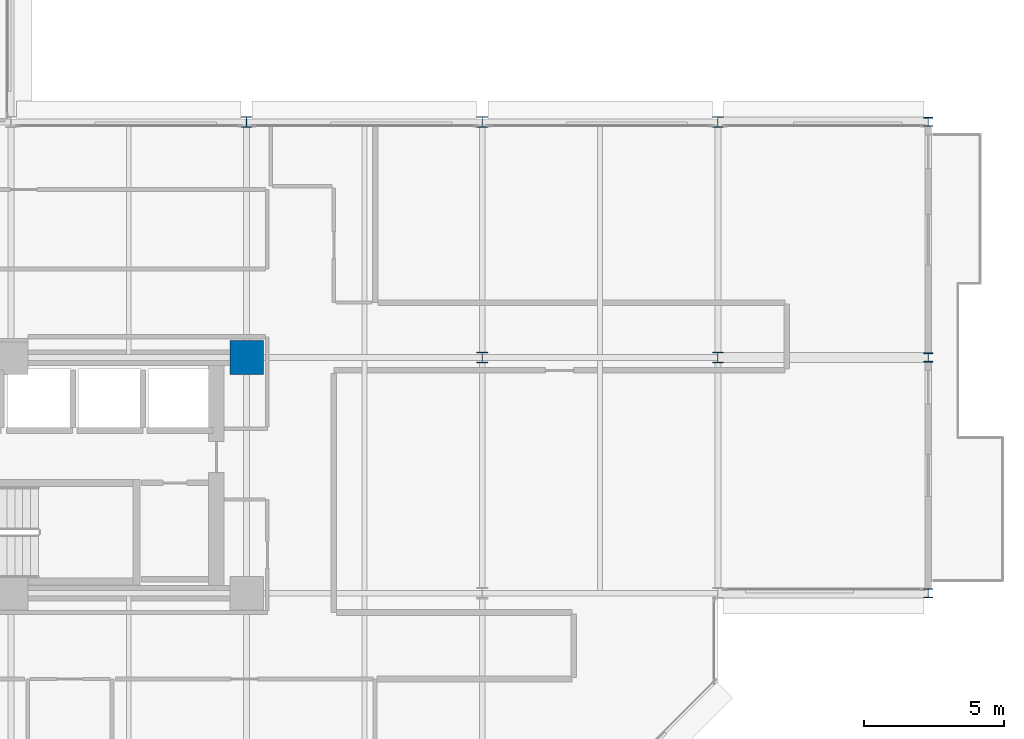
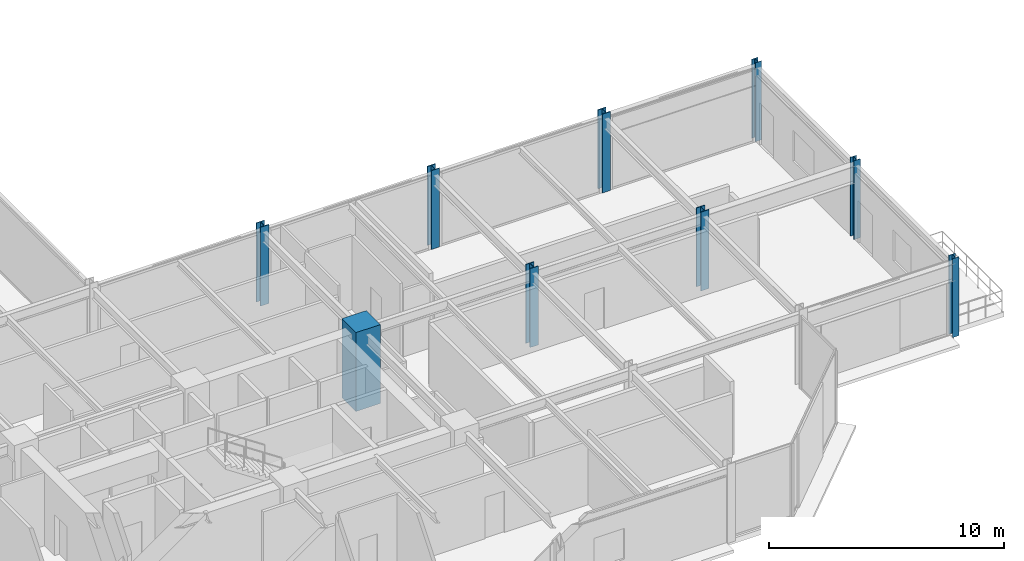
# One storey, part 2 of 39: 9 columns.
"""IFC4 building model written with IfcOpenShell, lengths in metres."""

from ifc_helpers import new_model, si_unit, direction, frame, origin, origin_2d, place, context, subcontext, project, spatial, rectangle, i_section, extrude, material, material_profile, profile_set, type_object, element, save


model = new_model("IFC4")

# Units and contexts
model_context = context("Model", 3, precision=1e-05, world=origin(), true_north=direction((0.0, 1.0)))
body_context = subcontext(model_context, "Body", "Model", "MODEL_VIEW")
ifc_project = project(units=[si_unit("LENGTHUNIT", "METRE"), si_unit("AREAUNIT", "SQUARE_METRE"), si_unit("VOLUMEUNIT", "CUBIC_METRE"), si_unit("PLANEANGLEUNIT", "RADIAN"), si_unit("MASSUNIT", "GRAM", prefix="KILO")], contexts=[model_context])

# Site, building, storey
site_placement = place(None, origin())
site = spatial("IfcSite", under=ifc_project, at=site_placement, CompositionType="ELEMENT")
building_placement = place(site_placement, origin())
building = spatial("IfcBuilding", under=site, at=building_placement, Name="Nerrivon Quay Data Exchange", CompositionType="ELEMENT")
storey_placement = place(building_placement, frame((0.0, 0.0, 92.60009765625)))
storey = spatial("IfcBuildingStorey", under=building, at=storey_placement, Name="L21", CompositionType="ELEMENT", Elevation=92.60009765625)

# Columns
ifc_material_1 = material(Name="Concrete S65 (65 MPa)", Category="concrete")
ifc_material_profile_1 = material_profile(ifc_material_1, rectangle(XDim=1.199951171875, YDim=1.199951171875, at=origin_2d()), Name="RC-COL-1200x1200")
ifc_profile_set_1 = profile_set([ifc_material_profile_1], Name="Concrete S65 (65 MPa)")
column_type_1 = type_object("IfcColumnType", Name="COL-C3-1200", PredefinedType="COLUMN", material=ifc_profile_set_1)
column_placement = place(storey_placement, frame((33.60009765625, 16.800048828125, 0.0), z_axis=(0.0, 0.0, 1.0), x_axis=(1.0, 0.0, 0.0)))
element("IfcColumn", 1, at=column_placement, inside=storey, type_object=column_type_1, Name="L21 Column (33.6,16.8)", PredefinedType="COLUMN", context=body_context, shape_type="SweptSolid", body=[
    extrude(rectangle(XDim=1.199951171875, YDim=1.199951171875, at=origin_2d()), origin(), (0.0, 0.0, 1.0), 4.099853515625),
])
ifc_material_2 = material(Name="Steel Grade 350", Category="steel")
ifc_material_profile_2 = material_profile(ifc_material_2, i_section(OverallWidth=0.39990234375, OverallDepth=0.39990234375, WebThickness=0.02490234375, FlangeThickness=0.0400390625, at=origin_2d()), Name="400WC328")
ifc_profile_set_2 = profile_set([ifc_material_profile_2], Name="Steel Grade 350")
column_type_2 = type_object("IfcColumnType", Name="COL-SC2-400WC", PredefinedType="COLUMN", material=ifc_profile_set_2)
for number, where, z_axis, x_axis, name in (
    (2, (33.60009765625, 25.199951171875, 0.0), (0.0, 0.0, 1.0), (1.0, 0.0, 0.0), "L21 Column (33.6,25.2)"),
    (3, (42.0, 16.800048828125, 0.0), (0.0, 0.0, 1.0), (1.0, 0.0, 0.0), "L21 Column (42.0,16.8)"),
    (4, (42.0, 25.199951171875, 0.0), (0.0, 0.0, 1.0), (1.0, 0.0, 0.0), "L21 Column (42.0,25.2)"),
    (5, (50.39990234375, 16.800048828125, 0.0), (0.0, 0.0, 1.0), (1.0, 0.0, 0.0), "L21 Column (50.4,16.8)"),
    (6, (50.39990234375, 25.199951171875, 0.0), (0.0, 0.0, 1.0), (1.0, 0.0, 0.0), "L21 Column (50.4,25.2)"),
):
    element("IfcColumn", number, at=place(storey_placement, frame(where, z_axis=z_axis, x_axis=x_axis)), inside=storey, type_object=column_type_2, Name=name, PredefinedType="COLUMN", context=body_context, shape_type="SweptSolid", body=[
        extrude(i_section(OverallWidth=0.39990234375, OverallDepth=0.39990234375, WebThickness=0.02490234375, FlangeThickness=0.0400390625, at=origin_2d()), origin(), (0.0, 0.0, 1.0), 4.099853515625),
    ])
ifc_material_profile_3 = material_profile(ifc_material_2, i_section(OverallWidth=0.31103515625, OverallDepth=0.326904296875, WebThickness=0.015625, FlangeThickness=0.02490234375, FilletRadius=0.0166015625, at=origin_2d()), Name="310UC158")
ifc_profile_set_3 = profile_set([ifc_material_profile_3], Name="Steel Grade 350")
column_type_3 = type_object("IfcColumnType", Name="COL-SC4-310UC158", PredefinedType="COLUMN", material=ifc_profile_set_3)
for number, where, z_axis, x_axis, name in (
    (7, (57.89990234375, 8.39990234375, 0.0), (0.0, 0.0, 1.0), (1.0, 0.0, 0.0), "L21 East Hooked Post (57.9,8.4)"),
    (8, (57.89990234375, 16.800048828125, 0.0), (0.0, 0.0, 1.0), (1.0, 0.0, 0.0), "L21 East Hooked Post (57.9,16.8)"),
    (9, (57.89990234375, 25.199951171875, 0.0), (0.0, 0.0, 1.0), (1.0, 0.0, 0.0), "L21 East Hooked Post (57.9,25.2)"),
):
    element("IfcColumn", number, at=place(storey_placement, frame(where, z_axis=z_axis, x_axis=x_axis)), inside=storey, type_object=column_type_3, Name=name, PredefinedType="COLUMN", context=body_context, shape_type="SweptSolid", body=[
        extrude(i_section(OverallWidth=0.31103515625, OverallDepth=0.326904296875, WebThickness=0.015625, FlangeThickness=0.02490234375, FilletRadius=0.0166015625, at=origin_2d()), origin(), (0.0, 0.0, 1.0), 4.099853515625),
    ])

save(model, "model.ifc")
